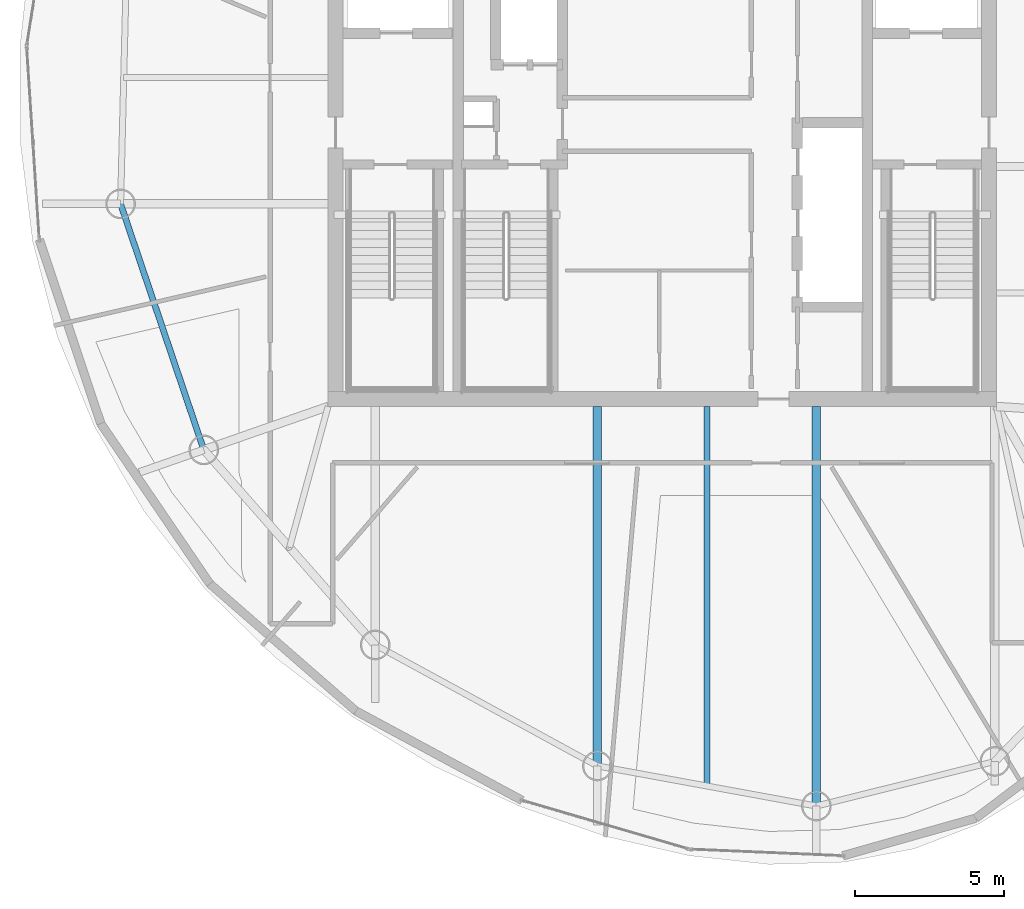
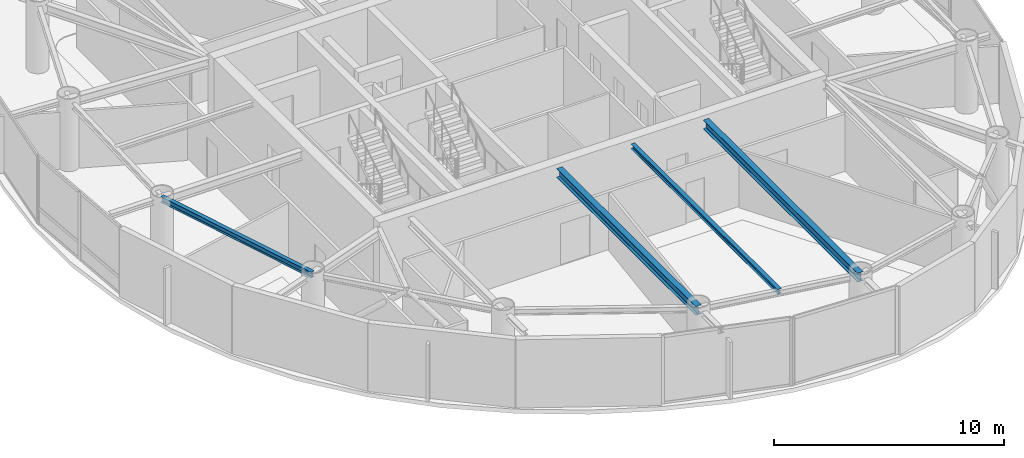
# One storey, part 3 of 18: 4 beams.
"""IFC4 building model written with IfcOpenShell, lengths in metres."""

from ifc_helpers import new_model, si_unit, direction, frame, origin, origin_2d, place, context, subcontext, project, spatial, i_section, extrude, material, material_profile, profile_set, type_object, element, save


model = new_model("IFC4")

# Units and contexts
model_context = context("Model", 3, precision=1e-05, world=origin(), true_north=direction((0.0, 1.0)))
body_context = subcontext(model_context, "Body", "Model", "MODEL_VIEW")
ifc_project = project(units=[si_unit("LENGTHUNIT", "METRE"), si_unit("AREAUNIT", "SQUARE_METRE"), si_unit("VOLUMEUNIT", "CUBIC_METRE"), si_unit("PLANEANGLEUNIT", "RADIAN"), si_unit("MASSUNIT", "GRAM", prefix="KILO")], contexts=[model_context])

# Site, building, storey
site_placement = place(None, origin())
site = spatial("IfcSite", under=ifc_project, at=site_placement, CompositionType="ELEMENT")
building_placement = place(site_placement, origin())
building = spatial("IfcBuilding", under=site, at=building_placement, Name="Bramvorn Convention Spire", CompositionType="ELEMENT")
storey_placement = place(building_placement, frame((0.0, 0.0, 288.25)))
storey = spatial("IfcBuildingStorey", under=building, at=storey_placement, Name="L73", CompositionType="ELEMENT", Elevation=288.25)

# Beams
ifc_material = material(Name="Steel CSA G40.21 Grade 350 (350W)", Category="steel")
ifc_material_profile_1 = material_profile(ifc_material, i_section(OverallWidth=0.201904296875, OverallDepth=0.2470703125, WebThickness=0.00732421875, FlangeThickness=0.010986328125, FilletRadius=0.011962890625, at=origin_2d()))
ifc_profile_set_1 = profile_set([ifc_material_profile_1], Name="Steel CSA G40.21 Grade 350 (350W) - W250X49")
beam_type_1 = type_object("IfcBeamType", Name="BM-W250X49", PredefinedType="JOIST", material=ifc_profile_set_1)
beam_1_placement = place(storey_placement, frame((39.501953125, 18.550048828125, 3.50146484375), z_axis=(0.0, -1.0, 0.0), x_axis=(1.0, 0.0, 0.0)))
element("IfcBeam", 1, at=beam_1_placement, inside=storey, type_object=beam_type_1, Name="L73 composite floor joist 15", PredefinedType="JOIST", context=body_context, shape_type="SweptSolid", body=[
    extrude(i_section(OverallWidth=0.201904296875, OverallDepth=0.2470703125, WebThickness=0.00732421875, FlangeThickness=0.010986328125, FilletRadius=0.011962890625, at=origin_2d()), origin(), (0.0, 0.0, 1.0), 12.77587890625),
])
ifc_material_profile_2 = material_profile(ifc_material, i_section(OverallWidth=0.202880859375, OverallDepth=0.302978515625, WebThickness=0.007568359375, FlangeThickness=0.01318359375, FilletRadius=0.013916015625, at=origin_2d()))
ifc_profile_set_2 = profile_set([ifc_material_profile_2], Name="Steel CSA G40.21 Grade 350 (350W) - W310X60")
beam_type_2 = type_object("IfcBeamType", Name="BM-W310X60", PredefinedType="JOIST", material=ifc_profile_set_2)
beam_2_placement = place(storey_placement, frame((19.765380859375, 25.37060546875, 3.473388671875), z_axis=(0.320531023763, -0.947238018032, 0.0), x_axis=(0.947238018032, 0.320531023763, 0.0)))
element("IfcBeam", 2, at=beam_2_placement, inside=storey, type_object=beam_type_2, Name="L73 mega-column ring beam 12", PredefinedType="JOIST", context=body_context, shape_type="SweptSolid", body=[
    extrude(i_section(OverallWidth=0.202880859375, OverallDepth=0.302978515625, WebThickness=0.007568359375, FlangeThickness=0.01318359375, FilletRadius=0.013916015625, at=origin_2d()), origin(), (0.0, 0.0, 1.0), 8.74169921875),
])
ifc_material_profile_3 = material_profile(ifc_material, i_section(OverallWidth=0.283935546875, OverallDepth=0.47607421875, WebThickness=0.014892578125, FlangeThickness=0.02392578125, FilletRadius=0.01806640625, at=origin_2d()))
ifc_profile_set_3 = profile_set([ifc_material_profile_3], Name="Steel CSA G40.21 Grade 350 (350W) - W460X158")
beam_type_3 = type_object("IfcBeamType", Name="BM-W460X158", PredefinedType="SPANDREL", material=ifc_profile_set_3)
beam_3_placement = place(storey_placement, frame((35.8154296875, 18.550048828125, 3.386962890625), z_axis=(0.0, -1.0, 0.0), x_axis=(1.0, 0.0, 0.0)))
element("IfcBeam", 3, at=beam_3_placement, inside=storey, type_object=beam_type_3, Name="L73 radial floor girder MC15", PredefinedType="SPANDREL", context=body_context, shape_type="SweptSolid", body=[
    extrude(i_section(OverallWidth=0.283935546875, OverallDepth=0.47607421875, WebThickness=0.014892578125, FlangeThickness=0.02392578125, FilletRadius=0.01806640625, at=origin_2d()), origin(), (0.0, 0.0, 1.0), 12.100830078125),
])
beam_4_placement = place(storey_placement, frame((43.1884765625, 18.550048828125, 3.386962890625), z_axis=(0.0, -1.0, 0.0), x_axis=(1.0, 0.0, 0.0)))
element("IfcBeam", 4, at=beam_4_placement, inside=storey, type_object=beam_type_3, Name="L73 radial floor girder MC16", PredefinedType="SPANDREL", context=body_context, shape_type="SweptSolid", body=[
    extrude(i_section(OverallWidth=0.283935546875, OverallDepth=0.47607421875, WebThickness=0.014892578125, FlangeThickness=0.02392578125, FilletRadius=0.01806640625, at=origin_2d()), origin(), (0.0, 0.0, 1.0), 13.450927734375),
])

save(model, "model.ifc")
